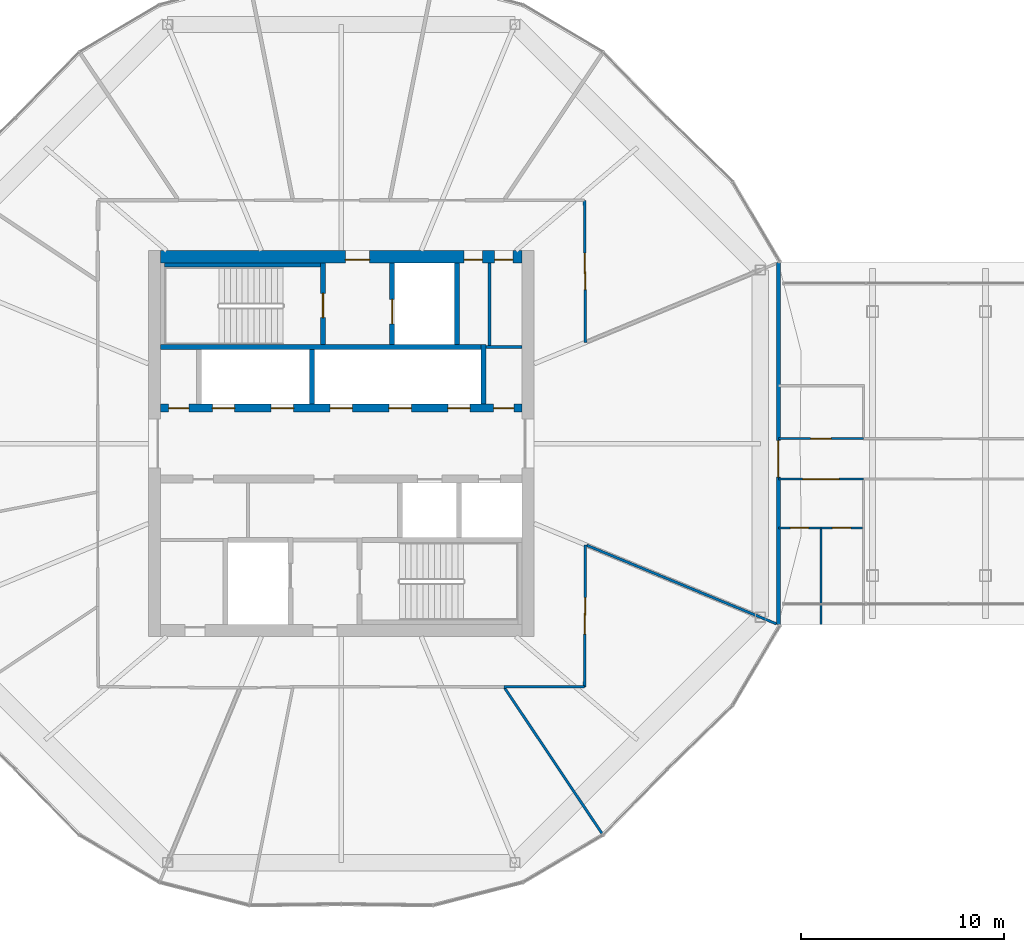
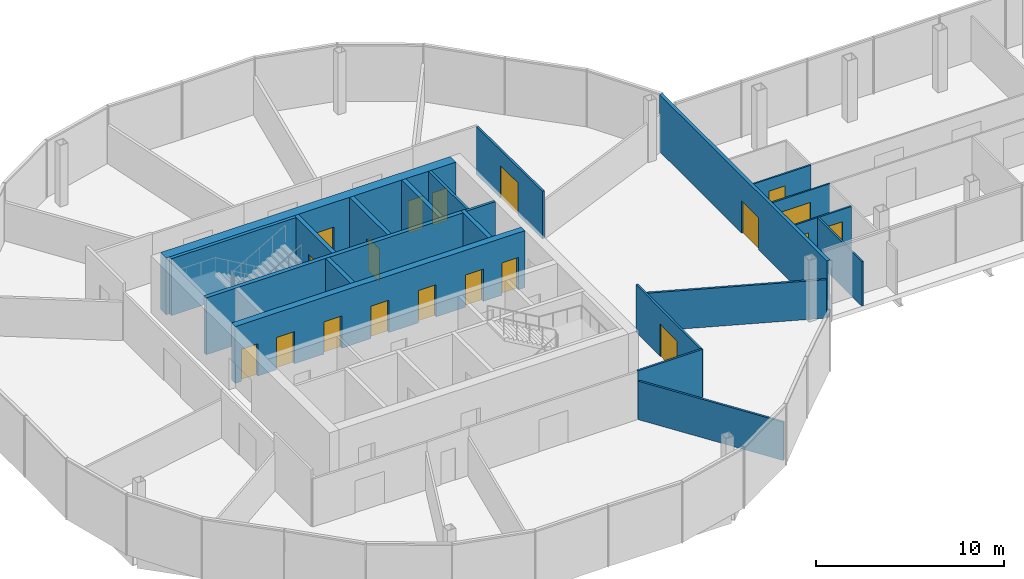
# One storey, part 20 of 25: 22 walls, 19 doors, 19 openings.
"""IFC4 building model written with IfcOpenShell, lengths in metres."""

import ifcopenshell
import ifcopenshell.guid

model = None  # the IFC model being written
_history = None  # IfcOwnerHistory: only IFC2X3 demands one
_inside = {}  # id of a spatial element -> (the spatial element, [elements in it])
_under = {}  # id of a project, library or spatial element -> (it, [spatial elements below it])
_declared = {}  # id of a project -> (the project, [libraries it declares])
_typed = {}  # id of a type object -> (the type object, [elements of that type])
_made_of = {}  # id of a material, layer set ... -> (it, [elements and type objects made of it])


def new_model(schema):
    """Start an empty IFC model of exactly this schema.

    Asked for "IFC4X3", IfcOpenShell would pick the latest addendum, in which some entities
    have other attributes; the version numbers below select the first issue.
    IFC2X3 requires an IfcOwnerHistory on every rooted entity: one is made here for all.
    """
    global model, _history
    if schema == "IFC4X3":
        model = ifcopenshell.file(schema_version=(4, 3, 0, 0))
    else:
        model = ifcopenshell.file(schema=schema)
    _inside.clear()
    _under.clear()
    _declared.clear()
    _typed.clear()
    _made_of.clear()
    _history = None
    if model.schema == "IFC2X3":
        org = make("IfcOrganization", Name="unknown")
        user = make(
            "IfcPersonAndOrganization",
            ThePerson=make("IfcPerson", FamilyName="unknown"),
            TheOrganization=org,
        )
        app = make(
            "IfcApplication",
            ApplicationDeveloper=org,
            Version="unknown",
            ApplicationFullName="unknown",
            ApplicationIdentifier="unknown",
        )
        _history = make(
            "IfcOwnerHistory",
            OwningUser=user,
            OwningApplication=app,
            ChangeAction="ADDED",
            CreationDate=0,
        )
    return model


def make(cls, **values):
    """One entity of the class cls with the attributes given. An attribute that is None is left unset."""
    return model.create_entity(
        cls, **{name: value for name, value in values.items() if value is not None}
    )


def rooted(cls, **values):
    """An entity with a GlobalId (a new one), such as an element, a storey or a relation."""
    return make(cls, GlobalId=ifcopenshell.guid.new(), OwnerHistory=_history, **values)


def si_unit(unit_type, name, prefix=None):
    """IfcSIUnit, for example si_unit("LENGTHUNIT", "METRE", prefix="MILLI")."""
    return make("IfcSIUnit", UnitType=unit_type, Prefix=prefix, Name=name)


def assignment(units):
    """IfcUnitAssignment: the units of a project."""
    return None if units is None else make("IfcUnitAssignment", Units=units)


def point(xyz):
    """IfcCartesianPoint."""
    return None if xyz is None else make("IfcCartesianPoint", Coordinates=xyz)


def direction(xyz):
    """IfcDirection."""
    return None if xyz is None else make("IfcDirection", DirectionRatios=xyz)


def frame(location, z_axis=None, x_axis=None):
    """IfcAxis2Placement3D, a coordinate frame: its origin and axes. An axis left out is left unset."""
    return make(
        "IfcAxis2Placement3D",
        Location=point(location),
        Axis=direction(z_axis),
        RefDirection=direction(x_axis),
    )


def frame_2d(location, x_axis=None):
    """IfcAxis2Placement2D, a coordinate frame in the plane: its origin and x axis."""
    return make(
        "IfcAxis2Placement2D", Location=point(location), RefDirection=direction(x_axis)
    )


def origin():
    """The frame at (0, 0, 0) with its axes left unset."""
    return frame((0.0, 0.0, 0.0))


def place(relative_to, where):
    """IfcLocalPlacement: puts the frame where relative to a parent placement (None: the world)."""
    return make(
        "IfcLocalPlacement", PlacementRelTo=relative_to, RelativePlacement=where
    )


def context(
    kind, dimensions, precision=None, world=None, true_north=None, identifier=None
):
    """IfcGeometricRepresentationContext, for example the 3D "Model" context."""
    return make(
        "IfcGeometricRepresentationContext",
        ContextIdentifier=identifier,
        ContextType=kind,
        CoordinateSpaceDimension=dimensions,
        Precision=precision,
        WorldCoordinateSystem=world,
        TrueNorth=true_north,
    )


def subcontext(parent, identifier, kind, view, scale=None):
    """IfcGeometricRepresentationSubContext, for example "Body" below "Model"."""
    return make(
        "IfcGeometricRepresentationSubContext",
        ContextIdentifier=identifier,
        ContextType=kind,
        ParentContext=parent,
        TargetScale=scale,
        TargetView=view,
    )


def project(units=None, contexts=None):
    """IfcProject with its units and contexts."""
    return rooted(
        "IfcProject",
        Name="project",
        RepresentationContexts=contexts,
        UnitsInContext=assignment(units),
    )


def spatial(cls, under=None, at=None, **own):
    """A site, building, storey or space (cls), placed at a placement, below another one or the project."""
    s = rooted(cls, ObjectPlacement=at, **own)
    if under is not None:
        _under.setdefault(under.id(), (under, []))[1].append(s)
    return s


def profile(cls, at=None, kind="AREA", **sizes):
    """A parametric profile (cls). Its sizes go by their IFC names, for example OverallWidth=200.0."""
    return make(cls, ProfileType=kind, Position=at, **sizes)


def rectangle(**sizes):
    """IfcRectangleProfileDef."""
    return profile("IfcRectangleProfileDef", **sizes)


def extrude(swept, where, along, depth):
    """IfcExtrudedAreaSolid: the profile swept, set in the frame where, extruded along a direction by depth."""
    return make(
        "IfcExtrudedAreaSolid",
        SweptArea=swept,
        Position=where,
        ExtrudedDirection=direction(along),
        Depth=depth,
    )


def shape(context_of_items, identifier, shape_type, items):
    """IfcShapeRepresentation: the items that make up one representation, for example the "Body"."""
    return make(
        "IfcShapeRepresentation",
        ContextOfItems=context_of_items,
        RepresentationIdentifier=identifier,
        RepresentationType=shape_type,
        Items=items,
    )


def material(Name=None, Category=None):
    """IfcMaterial."""
    return make("IfcMaterial", Name=Name, Category=Category)


def layer(
    of_material, thickness, ventilated=None, Name=None, Category=None, Priority=None
):
    """IfcMaterialLayer: one layer of a wall or slab, of a material (None: an air gap)."""
    return make(
        "IfcMaterialLayer",
        Material=of_material,
        LayerThickness=thickness,
        IsVentilated=ventilated,
        Name=Name,
        Category=Category,
        Priority=Priority,
    )


def layer_set(layers, Name=None):
    """IfcMaterialLayerSet."""
    return make("IfcMaterialLayerSet", MaterialLayers=layers, LayerSetName=Name)


def made_of(thing, what):
    """Note that an element or type object is made of a material, layer set ...; save() writes the relation."""
    if what is not None:
        _made_of.setdefault(what.id(), (what, []))[1].append(thing)
    return thing


def type_object(cls, material=None, **own):
    """A type object (cls), such as IfcWallType, which elements share."""
    return made_of(rooted(cls, **own), material)


def element(
    cls,
    number,
    at=None,
    inside=None,
    cuts=None,
    type_object=None,
    material=None,
    context=None,
    identifier="Body",
    shape_type=None,
    held_by="IfcProductDefinitionShape",
    body=None,
    shapes=None,
    **own,
):
    """One element of the class cls, such as IfcWall. Its Tag is "e" and its number.

    at: its placement. inside: the storey or other place that contains it. cuts: it is an
    opening in that element (IfcRelVoidsElement). A single representation is given by context,
    identifier, shape_type and body (its items); several are given by shapes. held_by: the class
    of the entity that holds the representations. save() writes the other relations.
    """
    e = rooted(cls, Tag="e%d" % number, ObjectPlacement=at, **own)
    if body is not None:
        shapes = [shape(context, identifier, shape_type, body)]
    if shapes is not None:
        e.Representation = make(held_by, Representations=shapes)
    if inside is not None:
        _inside.setdefault(inside.id(), (inside, []))[1].append(e)
    if cuts is not None:
        rooted(
            "IfcRelVoidsElement", RelatingBuildingElement=cuts, RelatedOpeningElement=e
        )
    if type_object is not None:
        _typed.setdefault(type_object.id(), (type_object, []))[1].append(e)
    return made_of(e, material)


def fill(opening, filler):
    """IfcRelFillsElement: the door or window that sits in an opening."""
    return rooted(
        "IfcRelFillsElement",
        RelatingOpeningElement=opening,
        RelatedBuildingElement=filler,
    )


def aggregate(whole, parts):
    """IfcRelAggregates: a whole, such as a stair, and the parts it consists of."""
    return rooted("IfcRelAggregates", RelatingObject=whole, RelatedObjects=parts)


def save(model, path):
    """Write the relations noted so far, then the file.

    IfcRelAggregates (storeys below a building ...), IfcRelContainedInSpatialStructure (elements
    in a storey), IfcRelDefinesByType, IfcRelAssociatesMaterial and IfcRelDeclares: one each for
    every whole, place, type object, material and project.
    """
    for whole, parts in _under.values():
        aggregate(whole, parts)
    for where, things in _inside.values():
        rooted(
            "IfcRelContainedInSpatialStructure",
            RelatedElements=things,
            RelatingStructure=where,
        )
    for kind, things in _typed.values():
        rooted("IfcRelDefinesByType", RelatedObjects=things, RelatingType=kind)
    for what, things in _made_of.values():
        rooted("IfcRelAssociatesMaterial", RelatedObjects=things, RelatingMaterial=what)
    for by, libraries in _declared.values():
        rooted("IfcRelDeclares", RelatingContext=by, RelatedDefinitions=libraries)
    model.write(path)


model = new_model("IFC4")

# Units and contexts
model_context = context("Model", 3, precision=1e-05, world=origin(), true_north=direction((0.0, 1.0)))
body_context = subcontext(model_context, "Body", "Model", "MODEL_VIEW")
ifc_project = project(units=[si_unit("LENGTHUNIT", "METRE"), si_unit("AREAUNIT", "SQUARE_METRE"), si_unit("VOLUMEUNIT", "CUBIC_METRE"), si_unit("PLANEANGLEUNIT", "RADIAN"), si_unit("MASSUNIT", "GRAM", prefix="KILO")], contexts=[model_context])

# Site, building, storey
site_placement = place(None, origin())
site = spatial("IfcSite", under=ifc_project, at=site_placement, CompositionType="ELEMENT")
building_placement = place(site_placement, origin())
building = spatial("IfcBuilding", under=site, at=building_placement, Name="Ogive Gate Towers", CompositionType="ELEMENT")
storey_placement = place(building_placement, frame((0.0, 0.0, 144.800048828125)))
storey = spatial("IfcBuildingStorey", under=building, at=storey_placement, Name="L34", CompositionType="ELEMENT", Elevation=144.800048828125)

# Wall, openings, doors
ifc_material_1 = material(Name="Concrete C60/75", Category="concrete")
ifc_layer_1 = layer(ifc_material_1, 0.60009765625)
ifc_layer_set_1 = layer_set([ifc_layer_1], Name="Core wall 600 mm")
wall_type_1 = type_object("IfcWallType", Name="Core wall 600 mm", PredefinedType="SHEAR", material=ifc_layer_set_1)
wall_1_placement = place(storey_placement, frame((-44.89990234375, 9.199951171875, 0.0), z_axis=(0.0, 0.0, 1.0), x_axis=(1.0, 0.0, 0.0)))
wall_1 = element("IfcWall", 1, at=wall_1_placement, inside=storey, type_object=wall_type_1, Name="T1 L34 Core wall 600 mm", PredefinedType="SHEAR", context=body_context, shape_type="SweptSolid", body=[
    extrude(rectangle(XDim=17.7998046875, YDim=0.60009765625, at=frame_2d((8.89990234375, 0.0))), origin(), (0.0, 0.0, 1.0), 3.699951171875),
])
opening_1_placement = place(wall_1_placement, frame((9.10009765625, 0.0, 0.0)))
opening_1 = element("IfcOpeningElement", 2, at=opening_1_placement, cuts=wall_1, Name="Opening KD-T1-L34-18", PredefinedType="OPENING", context=body_context, shape_type="SweptSolid", body=[
    extrude(rectangle(XDim=1.199951171875, YDim=2.10009765625, at=frame_2d((0.60009765625, 1.050048828125))), frame((0.0, 0.31005859375, 0.0), z_axis=(0.0, -1.0, 0.0), x_axis=(1.0, 0.0, 0.0)), (0.0, 0.0, 1.0), 0.6201171875),
])
opening_2_placement = place(wall_1_placement, frame((14.949951171875, 0.0, 0.0)))
opening_2 = element("IfcOpeningElement", 3, at=opening_2_placement, cuts=wall_1, Name="Opening KD-T1-L34-20", PredefinedType="OPENING", context=body_context, shape_type="SweptSolid", body=[
    extrude(rectangle(XDim=0.89990234375, YDim=2.10009765625, at=frame_2d((0.449951171875, 1.050048828125))), frame((0.0, 0.31005859375, 0.0), z_axis=(0.0, -1.0, 0.0), x_axis=(1.0, 0.0, 0.0)), (0.0, 0.0, 1.0), 0.6201171875),
])
opening_3_placement = place(wall_1_placement, frame((16.449951171875, 0.0, 0.0)))
opening_3 = element("IfcOpeningElement", 4, at=opening_3_placement, cuts=wall_1, Name="Opening KD-T1-L34-21", PredefinedType="OPENING", context=body_context, shape_type="SweptSolid", body=[
    extrude(rectangle(XDim=0.89990234375, YDim=2.10009765625, at=frame_2d((0.449951171875, 1.050048828125))), frame((0.0, 0.31005859375, 0.0), z_axis=(0.0, -1.0, 0.0), x_axis=(1.0, 0.0, 0.0)), (0.0, 0.0, 1.0), 0.6201171875),
])
ifc_material_2 = material(Name="Timber door", Category="wood")
door_type_1 = type_object("IfcDoorType", Name="Core WC door 900 x 2100", OperationType="NOTDEFINED", PredefinedType="DOOR", material=ifc_material_2)
door_1_placement = place(opening_2_placement, origin())
door_1 = element("IfcDoor", 5, at=door_1_placement, inside=storey, type_object=door_type_1, Name="T1 L34 Core door", OperationType="SINGLE_SWING_LEFT", OverallHeight=2.10009765625, OverallWidth=0.89990234375, PredefinedType="DOOR", context=body_context, shape_type="SweptSolid", body=[
    extrude(rectangle(XDim=0.89990234375, YDim=2.10009765625, at=frame_2d((0.449951171875, 1.050048828125))), frame((0.0, -0.125, 0.0), z_axis=(0.0, -1.0, 0.0), x_axis=(1.0, 0.0, 0.0)), (0.0, 0.0, 1.0), 0.050048828125),
])
fill(opening_2, door_1)
door_2_placement = place(opening_3_placement, origin())
door_2 = element("IfcDoor", 6, at=door_2_placement, inside=storey, type_object=door_type_1, Name="T1 L34 Core door", OperationType="SINGLE_SWING_RIGHT", OverallHeight=2.10009765625, OverallWidth=0.89990234375, PredefinedType="DOOR", context=body_context, shape_type="SweptSolid", body=[
    extrude(rectangle(XDim=0.89990234375, YDim=2.10009765625, at=frame_2d((0.449951171875, 1.050048828125))), frame((0.0, -0.125, 0.0), z_axis=(0.0, -1.0, 0.0), x_axis=(1.0, 0.0, 0.0)), (0.0, 0.0, 1.0), 0.050048828125),
])
fill(opening_3, door_2)
ifc_material_3 = material(Name="Steel fire door", Category="steel")
door_type_2 = type_object("IfcDoorType", Name="Core door FD60S 1200 x 2100", OperationType="NOTDEFINED", PredefinedType="DOOR", material=ifc_material_3)
door_3_placement = place(opening_1_placement, origin())
door_3 = element("IfcDoor", 7, at=door_3_placement, inside=storey, type_object=door_type_2, Name="T1 L34 Fire-fighting lobby door", OperationType="SINGLE_SWING_LEFT", OverallHeight=2.10009765625, OverallWidth=1.199951171875, PredefinedType="DOOR", context=body_context, shape_type="SweptSolid", body=[
    extrude(rectangle(XDim=1.199951171875, YDim=2.10009765625, at=frame_2d((0.60009765625, 1.050048828125))), frame((0.0, -0.125, 0.0), z_axis=(0.0, -1.0, 0.0), x_axis=(1.0, 0.0, 0.0)), (0.0, 0.0, 1.0), 0.050048828125),
])
fill(opening_1, door_3)

# Walls
ifc_material_4 = material(Name="Gypsum board partition")
ifc_layer_2 = layer(ifc_material_4, 0.125)
ifc_layer_set_2 = layer_set([ifc_layer_2], Name="Partition 125")
wall_type_2 = type_object("IfcWallType", Name="Partition 125", PredefinedType="PARTITIONING", material=ifc_layer_set_2)
wall_2_placement = place(storey_placement, frame((-23.16015625, -19.2021484375, 0.0), z_axis=(0.0, 0.0, 1.0), x_axis=(-0.555863542002, 0.831273554657, 0.0)))
element("IfcWall", 8, at=wall_2_placement, inside=storey, type_object=wall_type_2, Name="Partition T1-L34-011", PredefinedType="PARTITIONING", context=body_context, shape_type="SweptSolid", body=[
    extrude(rectangle(XDim=8.616455078125, YDim=0.125, at=frame_2d((4.30810546875, 0.0))), origin(), (0.0, 0.0, 1.0), 2.5),
])
wall_3_placement = place(storey_placement, frame((-14.573486328125, -8.875, 0.0), z_axis=(0.0, 0.0, 1.0), x_axis=(-0.923883778051, 0.382673182564, 0.0)))
element("IfcWall", 9, at=wall_3_placement, inside=storey, type_object=wall_type_2, Name="Partition T1-L34-012", PredefinedType="PARTITIONING", context=body_context, shape_type="SweptSolid", body=[
    extrude(rectangle(XDim=10.108154296875, YDim=0.125, at=frame_2d((5.05419921875, 0.0))), origin(), (0.0, 0.0, 1.0), 2.5),
])

# Wall, opening, door
wall_4_placement = place(storey_placement, frame((-23.97021484375, 4.98291015625, 0.0), z_axis=(0.0, 0.0, 1.0), x_axis=(-0.007117754095, 0.999974668467, 0.0)))
wall_4 = element("IfcWall", 10, at=wall_4_placement, inside=storey, type_object=wall_type_2, Name="Partition T1-L34-013", PredefinedType="PARTITIONING", context=body_context, shape_type="SweptSolid", body=[
    extrude(rectangle(XDim=6.997314453125, YDim=0.125, at=frame_2d((3.49853515625, 0.0))), origin(), (0.0, 0.0, 1.0), 3.099853515625),
])
opening_4_placement = place(wall_4_placement, frame((2.59912109375, 0.0, 0.0)))
opening_4 = element("IfcOpeningElement", 11, at=opening_4_placement, cuts=wall_4, Name="Opening T1-L34-D01", PredefinedType="OPENING", context=body_context, shape_type="SweptSolid", body=[
    extrude(rectangle(XDim=1.800048828125, YDim=2.10009765625, at=frame_2d((0.89990234375, 1.050048828125))), frame((0.0, 0.072509765625, 0.0), z_axis=(0.0, -1.0, 0.0), x_axis=(1.0, 0.0, 0.0)), (0.0, 0.0, 1.0), 0.14501953125),
])
door_type_3 = type_object("IfcDoorType", Name="Door pair 1800", OperationType="NOTDEFINED", PredefinedType="DOOR", material=ifc_material_2)
door_4_placement = place(opening_4_placement, origin())
door_4 = element("IfcDoor", 12, at=door_4_placement, inside=storey, type_object=door_type_3, Name="Door T1-L34-D01", OperationType="DOUBLE_DOOR_DOUBLE_SWING", OverallHeight=2.10009765625, OverallWidth=1.800048828125, PredefinedType="DOOR", context=body_context, shape_type="SweptSolid", body=[
    extrude(rectangle(XDim=1.800048828125, YDim=2.10009765625, at=frame_2d((0.89990234375, 1.050048828125))), frame((0.0, 0.02490234375, 0.0), z_axis=(0.0, -1.0, 0.0), x_axis=(1.0, 0.0, 0.0)), (0.0, 0.0, 1.0), 0.050048828125),
])
fill(opening_4, door_4)

wall_5_placement = place(storey_placement, frame((-24.02001953125, -11.97998046875, 0.0), z_axis=(0.0, 0.0, 1.0), x_axis=(0.007117754095, 0.999974668467, 0.0)))
wall_5 = element("IfcWall", 13, at=wall_5_placement, inside=storey, type_object=wall_type_2, Name="Partition T1-L34-026", PredefinedType="PARTITIONING", context=body_context, shape_type="SweptSolid", body=[
    extrude(rectangle(XDim=6.997314453125, YDim=0.125, at=frame_2d((3.49853515625, 0.0))), origin(), (0.0, 0.0, 1.0), 3.099853515625),
])
opening_5_placement = place(wall_5_placement, frame((2.59912109375, 0.0, 0.0)))
opening_5 = element("IfcOpeningElement", 14, at=opening_5_placement, cuts=wall_5, Name="Opening T1-L34-D11", PredefinedType="OPENING", context=body_context, shape_type="SweptSolid", body=[
    extrude(rectangle(XDim=1.800048828125, YDim=2.10009765625, at=frame_2d((0.89990234375, 1.050048828125))), frame((0.0, 0.072509765625, 0.0), z_axis=(0.0, -1.0, 0.0), x_axis=(1.0, 0.0, 0.0)), (0.0, 0.0, 1.0), 0.14501953125),
])
door_5_placement = place(opening_5_placement, origin())
door_5 = element("IfcDoor", 15, at=door_5_placement, inside=storey, type_object=door_type_3, Name="Door T1-L34-D11", OperationType="DOUBLE_DOOR_DOUBLE_SWING", OverallHeight=2.10009765625, OverallWidth=1.800048828125, PredefinedType="DOOR", context=body_context, shape_type="SweptSolid", body=[
    extrude(rectangle(XDim=1.800048828125, YDim=2.10009765625, at=frame_2d((0.89990234375, 1.050048828125))), frame((0.0, 0.02490234375, 0.0), z_axis=(0.0, -1.0, 0.0), x_axis=(1.0, 0.0, 0.0)), (0.0, 0.0, 1.0), 0.050048828125),
])
fill(opening_5, door_5)

# Wall
wall_6_placement = place(storey_placement, frame((-27.984375, -11.987548828125, 0.0), z_axis=(0.0, 0.0, 1.0), x_axis=(0.99999817767, 0.001909098627, 0.0)))
element("IfcWall", 16, at=wall_6_placement, inside=storey, type_object=wall_type_2, Name="Partition T1-L34-027", PredefinedType="PARTITIONING", context=body_context, shape_type="SweptSolid", body=[
    extrude(rectangle(XDim=3.96435546875, YDim=0.125, at=frame_2d((1.982177734375, 0.0))), origin(), (0.0, 0.0, 1.0), 3.14990234375),
])

# Wall, opening, door
ifc_layer_3 = layer(ifc_material_4, 0.10009765625)
ifc_layer_set_3 = layer_set([ifc_layer_3], Name="Partition wall 100")
wall_type_3 = type_object("IfcWallType", Name="Partition wall 100", PredefinedType="PARTITIONING", material=ifc_layer_set_3)
wall_7_placement = place(storey_placement, frame((-14.4736328125, -1.75, 0.0), z_axis=(0.0, 0.0, 1.0), x_axis=(1.0, 0.0, 0.0)))
wall_7 = element("IfcWall", 17, at=wall_7_placement, inside=storey, type_object=wall_type_3, Name="L34 partition 001", PredefinedType="PARTITIONING", context=body_context, shape_type="SweptSolid", body=[
    extrude(rectangle(XDim=4.193115234375, YDim=0.10009765625, at=frame_2d((2.0966796875, 0.0))), origin(), (0.0, 0.0, 1.0), 2.89990234375),
])
opening_6_placement = place(wall_7_placement, frame((1.196533203125, 0.0, 0.0)))
opening_6 = element("IfcOpeningElement", 18, at=opening_6_placement, cuts=wall_7, Name="Opening PO240", PredefinedType="OPENING", context=body_context, shape_type="SweptSolid", body=[
    extrude(rectangle(XDim=1.800048828125, YDim=2.10009765625, at=frame_2d((0.89990234375, 1.050048828125))), frame((0.0, 0.06005859375, 0.0), z_axis=(0.0, -1.0, 0.0), x_axis=(1.0, 0.0, 0.0)), (0.0, 0.0, 1.0), 0.1201171875),
])
door_type_4 = type_object("IfcDoorType", Name="Double door 1800 x 2100", OperationType="NOTDEFINED", PredefinedType="DOOR", material=ifc_material_2)
door_6_placement = place(opening_6_placement, origin())
door_6 = element("IfcDoor", 19, at=door_6_placement, inside=storey, type_object=door_type_4, Name="Door PO240", OperationType="DOUBLE_DOOR_DOUBLE_SWING", OverallHeight=2.10009765625, OverallWidth=1.800048828125, PredefinedType="DOOR", context=body_context, shape_type="SweptSolid", body=[
    extrude(rectangle(XDim=1.800048828125, YDim=2.10009765625, at=frame_2d((0.89990234375, 1.050048828125))), frame((0.0, 0.02490234375, 0.0), z_axis=(0.0, -1.0, 0.0), x_axis=(1.0, 0.0, 0.0)), (0.0, 0.0, 1.0), 0.050048828125),
])
fill(opening_6, door_6)

wall_8_placement = place(storey_placement, frame((-14.4736328125, 0.25, 0.0), z_axis=(0.0, 0.0, 1.0), x_axis=(1.0, 0.0, 0.0)))
wall_8 = element("IfcWall", 20, at=wall_8_placement, inside=storey, type_object=wall_type_3, Name="L34 partition 002", PredefinedType="PARTITIONING", context=body_context, shape_type="SweptSolid", body=[
    extrude(rectangle(XDim=4.193115234375, YDim=0.10009765625, at=frame_2d((2.0966796875, 0.0))), origin(), (0.0, 0.0, 1.0), 2.89990234375),
])
opening_7_placement = place(wall_8_placement, frame((1.596435546875, 0.0, 0.0)))
opening_7 = element("IfcOpeningElement", 21, at=opening_7_placement, cuts=wall_8, Name="Opening PO243", PredefinedType="OPENING", context=body_context, shape_type="SweptSolid", body=[
    extrude(rectangle(XDim=1.0, YDim=2.10009765625, at=frame_2d((0.5, 1.050048828125))), frame((0.0, 0.06005859375, 0.0), z_axis=(0.0, -1.0, 0.0), x_axis=(1.0, 0.0, 0.0)), (0.0, 0.0, 1.0), 0.1201171875),
])
door_type_5 = type_object("IfcDoorType", Name="Door 1000 x 2100", OperationType="NOTDEFINED", PredefinedType="DOOR", material=ifc_material_2)
door_7_placement = place(opening_7_placement, origin())
door_7 = element("IfcDoor", 22, at=door_7_placement, inside=storey, type_object=door_type_5, Name="Door PO243", OperationType="SINGLE_SWING_LEFT", OverallHeight=2.10009765625, OverallWidth=1.0, PredefinedType="DOOR", context=body_context, shape_type="SweptSolid", body=[
    extrude(rectangle(XDim=1.0, YDim=2.10009765625, at=frame_2d((0.5, 1.050048828125))), frame((0.0, 0.02490234375, 0.0), z_axis=(0.0, -1.0, 0.0), x_axis=(1.0, 0.0, 0.0)), (0.0, 0.0, 1.0), 0.050048828125),
])
fill(opening_7, door_7)

wall_9_placement = place(storey_placement, frame((-14.4736328125, -4.14990234375, 0.0), z_axis=(0.0, 0.0, 1.0), x_axis=(1.0, 0.0, 0.0)))
wall_9 = element("IfcWall", 23, at=wall_9_placement, inside=storey, type_object=wall_type_3, Name="L34 partition 009", PredefinedType="PARTITIONING", context=body_context, shape_type="SweptSolid", body=[
    extrude(rectangle(XDim=2.096435546875, YDim=0.10009765625, at=frame_2d((1.04833984375, 0.0))), origin(), (0.0, 0.0, 1.0), 2.89990234375),
])
opening_8_placement = place(wall_9_placement, frame((0.598388671875, 0.0, 0.0)))
opening_8 = element("IfcOpeningElement", 24, at=opening_8_placement, cuts=wall_9, Name="Opening PO241", PredefinedType="OPENING", context=body_context, shape_type="SweptSolid", body=[
    extrude(rectangle(XDim=0.89990234375, YDim=2.10009765625, at=frame_2d((0.449951171875, 1.050048828125))), frame((0.0, 0.06005859375, 0.0), z_axis=(0.0, -1.0, 0.0), x_axis=(1.0, 0.0, 0.0)), (0.0, 0.0, 1.0), 0.1201171875),
])
door_type_6 = type_object("IfcDoorType", Name="Door 900 x 2100", OperationType="NOTDEFINED", PredefinedType="DOOR", material=ifc_material_2)
door_8_placement = place(opening_8_placement, origin())
door_8 = element("IfcDoor", 25, at=door_8_placement, inside=storey, type_object=door_type_6, Name="Door PO241", OperationType="SINGLE_SWING_LEFT", OverallHeight=2.10009765625, OverallWidth=0.89990234375, PredefinedType="DOOR", context=body_context, shape_type="SweptSolid", body=[
    extrude(rectangle(XDim=0.89990234375, YDim=2.10009765625, at=frame_2d((0.449951171875, 1.050048828125))), frame((0.0, 0.02490234375, 0.0), z_axis=(0.0, -1.0, 0.0), x_axis=(1.0, 0.0, 0.0)), (0.0, 0.0, 1.0), 0.050048828125),
])
fill(opening_8, door_8)

wall_10_placement = place(storey_placement, frame((-12.377197265625, -4.14990234375, 0.0), z_axis=(0.0, 0.0, 1.0), x_axis=(1.0, 0.0, 0.0)))
wall_10 = element("IfcWall", 26, at=wall_10_placement, inside=storey, type_object=wall_type_3, Name="L34 partition 010", PredefinedType="PARTITIONING", context=body_context, shape_type="SweptSolid", body=[
    extrude(rectangle(XDim=2.046630859375, YDim=0.10009765625, at=frame_2d((1.0234375, 0.0))), origin(), (0.0, 0.0, 1.0), 2.89990234375),
])
opening_9_placement = place(wall_10_placement, frame((0.5732421875, 0.0, 0.0)))
opening_9 = element("IfcOpeningElement", 27, at=opening_9_placement, cuts=wall_10, Name="Opening PO242", PredefinedType="OPENING", context=body_context, shape_type="SweptSolid", body=[
    extrude(rectangle(XDim=0.89990234375, YDim=2.10009765625, at=frame_2d((0.449951171875, 1.050048828125))), frame((0.0, 0.06005859375, 0.0), z_axis=(0.0, -1.0, 0.0), x_axis=(1.0, 0.0, 0.0)), (0.0, 0.0, 1.0), 0.1201171875),
])
door_9_placement = place(opening_9_placement, origin())
door_9 = element("IfcDoor", 28, at=door_9_placement, inside=storey, type_object=door_type_6, Name="Door PO242", OperationType="SINGLE_SWING_RIGHT", OverallHeight=2.10009765625, OverallWidth=0.89990234375, PredefinedType="DOOR", context=body_context, shape_type="SweptSolid", body=[
    extrude(rectangle(XDim=0.89990234375, YDim=2.10009765625, at=frame_2d((0.449951171875, 1.050048828125))), frame((0.0, 0.02490234375, 0.0), z_axis=(0.0, -1.0, 0.0), x_axis=(1.0, 0.0, 0.0)), (0.0, 0.0, 1.0), 0.050048828125),
])
fill(opening_9, door_9)

# Wall
wall_11_placement = place(storey_placement, frame((-12.377197265625, -8.91650390625, 0.0), z_axis=(0.0, 0.0, 1.0), x_axis=(0.0, 1.0, 0.0)))
element("IfcWall", 29, at=wall_11_placement, inside=storey, type_object=wall_type_3, Name="L34 partition 012", PredefinedType="PARTITIONING", context=body_context, shape_type="SweptSolid", body=[
    extrude(rectangle(XDim=4.716552734375, YDim=0.10009765625, at=frame_2d((2.3583984375, 0.0))), origin(), (0.0, 0.0, 1.0), 2.89990234375),
])

# Wall, opening, door
ifc_material_5 = material(Name="Masonry block wall", Category="masonry")
ifc_layer_4 = layer(ifc_material_5, 0.199951171875)
ifc_layer_set_4 = layer_set([ifc_layer_4], Name="Partition wall 200")
wall_type_4 = type_object("IfcWallType", Name="Partition wall 200", PredefinedType="PARTITIONING", material=ifc_layer_set_4)
wall_12_placement = place(storey_placement, frame((-14.4736328125, -8.91650390625, 0.0), z_axis=(0.0, 0.0, 1.0), x_axis=(0.0, 1.0, 0.0)))
wall_12 = element("IfcWall", 30, at=wall_12_placement, inside=storey, type_object=wall_type_4, Name="L34 wall 020", PredefinedType="PARTITIONING", context=body_context, shape_type="SweptSolid", body=[
    extrude(rectangle(XDim=17.8330078125, YDim=0.199951171875, at=frame_2d((8.91650390625, 0.0))), origin(), (0.0, 0.0, 1.0), 3.699951171875),
])
opening_10_placement = place(wall_12_placement, frame((7.2666015625, 0.0, 0.0)))
opening_10 = element("IfcOpeningElement", 31, at=opening_10_placement, cuts=wall_12, Name="Opening PO252", PredefinedType="OPENING", context=body_context, shape_type="SweptSolid", body=[
    extrude(rectangle(XDim=1.800048828125, YDim=2.10009765625, at=frame_2d((0.89990234375, 1.050048828125))), frame((0.0, 0.10986328125, 0.0), z_axis=(0.0, -1.0, 0.0), x_axis=(1.0, 0.0, 0.0)), (0.0, 0.0, 1.0), 0.219970703125),
])
door_type_7 = type_object("IfcDoorType", Name="Interior fire double door FD120S 1800 x 2100", OperationType="NOTDEFINED", PredefinedType="DOOR", material=ifc_material_3)
door_10_placement = place(opening_10_placement, origin())
door_10 = element("IfcDoor", 32, at=door_10_placement, inside=storey, type_object=door_type_7, Name="Door PO252", OperationType="DOUBLE_DOOR_DOUBLE_SWING", OverallHeight=2.10009765625, OverallWidth=1.800048828125, PredefinedType="DOOR", context=body_context, shape_type="SweptSolid", body=[
    extrude(rectangle(XDim=1.800048828125, YDim=2.10009765625, at=frame_2d((0.89990234375, 1.050048828125))), frame((0.0, 0.02490234375, 0.0), z_axis=(0.0, -1.0, 0.0), x_axis=(1.0, 0.0, 0.0)), (0.0, 0.0, 1.0), 0.050048828125),
])
fill(opening_10, door_10)

# Walls
ifc_layer_5 = layer(ifc_material_4, 0.14990234375)
ifc_layer_set_5 = layer_set([ifc_layer_5], Name="Room partition 150 mm")
wall_type_5 = type_object("IfcWallType", Name="Room partition 150 mm", PredefinedType="PARTITIONING", material=ifc_layer_set_5)
wall_13_placement = place(storey_placement, frame((-28.875, 4.75, 0.0), z_axis=(0.0, 0.0, 1.0), x_axis=(1.0, 0.0, 0.0)))
element("IfcWall", 33, at=wall_13_placement, inside=storey, type_object=wall_type_5, Name="T1 L34 Room partition 150 mm", PredefinedType="PARTITIONING", context=body_context, shape_type="SweptSolid", body=[
    extrude(rectangle(XDim=1.77490234375, YDim=0.14990234375, at=frame_2d((0.887451171875, 0.0))), origin(), (0.0, 0.0, 1.0), 3.699951171875),
])
wall_14_placement = place(storey_placement, frame((-28.699951171875, 4.824951171875, 0.0), z_axis=(0.0, 0.0, 1.0), x_axis=(0.0, 1.0, 0.0)))
element("IfcWall", 34, at=wall_14_placement, inside=storey, type_object=wall_type_5, Name="T1 L34 Room partition 150 mm", PredefinedType="PARTITIONING", context=body_context, shape_type="SweptSolid", body=[
    extrude(rectangle(XDim=4.074951171875, YDim=0.14990234375, at=frame_2d((2.03759765625, 0.0))), origin(), (0.0, 0.0, 1.0), 3.699951171875),
])
ifc_layer_6 = layer(ifc_material_1, 0.25)
ifc_layer_set_6 = layer_set([ifc_layer_6], Name="Shaft wall 250 mm")
wall_type_6 = type_object("IfcWallType", Name="Shaft wall 250 mm", PredefinedType="SHEAR", material=ifc_layer_set_6)
wall_15_placement = place(storey_placement, frame((-44.89990234375, 4.75, 0.0), z_axis=(0.0, 0.0, 1.0), x_axis=(1.0, 0.0, 0.0)))
element("IfcWall", 35, at=wall_15_placement, inside=storey, type_object=wall_type_6, Name="T1 L34 Shaft wall 250 mm", PredefinedType="SHEAR", context=body_context, shape_type="SweptSolid", body=[
    extrude(rectangle(XDim=15.77490234375, YDim=0.25, at=frame_2d((7.887451171875, 0.0))), origin(), (0.0, 0.0, 1.0), 3.699951171875),
])
wall_16_placement = place(storey_placement, frame((-37.449951171875, 1.949951171875, 0.0), z_axis=(0.0, 0.0, 1.0), x_axis=(0.0, 1.0, 0.0)))
element("IfcWall", 36, at=wall_16_placement, inside=storey, type_object=wall_type_6, Name="T1 L34 Shaft wall 250 mm", PredefinedType="SHEAR", context=body_context, shape_type="SweptSolid", body=[
    extrude(rectangle(XDim=2.675048828125, YDim=0.25, at=frame_2d((1.33740234375, 0.0))), origin(), (0.0, 0.0, 1.0), 3.699951171875),
])

# Wall, opening, door
wall_17_placement = place(storey_placement, frame((-36.89990234375, 4.875, 0.0), z_axis=(0.0, 0.0, 1.0), x_axis=(0.0, 1.0, 0.0)))
wall_17 = element("IfcWall", 37, at=wall_17_placement, inside=storey, type_object=wall_type_6, Name="T1 L34 Shaft wall 250 mm", PredefinedType="SHEAR", context=body_context, shape_type="SweptSolid", body=[
    extrude(rectangle(XDim=4.02490234375, YDim=0.25, at=frame_2d((2.012451171875, 0.0))), origin(), (0.0, 0.0, 1.0), 3.699951171875),
])
opening_11_placement = place(wall_17_placement, frame((1.324951171875, 0.0, 0.0)))
opening_11 = element("IfcOpeningElement", 38, at=opening_11_placement, cuts=wall_17, Name="Opening KD-T1-L34-16", PredefinedType="OPENING", context=body_context, shape_type="SweptSolid", body=[
    extrude(rectangle(XDim=1.199951171875, YDim=2.10009765625, at=frame_2d((0.60009765625, 1.050048828125))), frame((0.0, 0.135009765625, 0.0), z_axis=(0.0, -1.0, 0.0), x_axis=(1.0, 0.0, 0.0)), (0.0, 0.0, 1.0), 0.27001953125),
])
door_11_placement = place(opening_11_placement, origin())
door_11 = element("IfcDoor", 39, at=door_11_placement, inside=storey, type_object=door_type_2, Name="T1 L34 Stair door", OperationType="SINGLE_SWING_LEFT", OverallHeight=2.10009765625, OverallWidth=1.199951171875, PredefinedType="DOOR", context=body_context, shape_type="SweptSolid", body=[
    extrude(rectangle(XDim=1.199951171875, YDim=2.10009765625, at=frame_2d((0.60009765625, 1.050048828125))), frame((0.0, 0.02490234375, 0.0), z_axis=(0.0, -1.0, 0.0), x_axis=(1.0, 0.0, 0.0)), (0.0, 0.0, 1.0), 0.050048828125),
])
fill(opening_11, door_11)

wall_18_placement = place(storey_placement, frame((-33.5, 4.875, 0.0), z_axis=(0.0, 0.0, 1.0), x_axis=(0.0, 1.0, 0.0)))
wall_18 = element("IfcWall", 40, at=wall_18_placement, inside=storey, type_object=wall_type_6, Name="T1 L34 Shaft wall 250 mm", PredefinedType="SHEAR", context=body_context, shape_type="SweptSolid", body=[
    extrude(rectangle(XDim=4.02490234375, YDim=0.25, at=frame_2d((2.012451171875, 0.0))), origin(), (0.0, 0.0, 1.0), 3.699951171875),
])
opening_12_placement = place(wall_18_placement, frame((1.02490234375, 0.0, 0.0)))
opening_12 = element("IfcOpeningElement", 41, at=opening_12_placement, cuts=wall_18, Name="Opening LD-T1-L34-12", PredefinedType="OPENING", context=body_context, shape_type="SweptSolid", body=[
    extrude(rectangle(XDim=1.199951171875, YDim=2.10009765625, at=frame_2d((0.60009765625, 1.050048828125))), frame((0.0, 0.135009765625, 0.0), z_axis=(0.0, -1.0, 0.0), x_axis=(1.0, 0.0, 0.0)), (0.0, 0.0, 1.0), 0.27001953125),
])
ifc_material_6 = material(Name="Stainless steel landing door", Category="steel")
door_type_8 = type_object("IfcDoorType", Name="Landing door 1200 x 2100", OperationType="SLIDING_TO_LEFT", PredefinedType="DOOR", material=ifc_material_6)
door_12_placement = place(opening_12_placement, origin())
door_12 = element("IfcDoor", 42, at=door_12_placement, inside=storey, type_object=door_type_8, Name="T1 L34 Lift landing door FF1", OperationType="SLIDING_TO_LEFT", OverallHeight=2.10009765625, OverallWidth=1.199951171875, PredefinedType="DOOR", context=body_context, shape_type="SweptSolid", body=[
    extrude(rectangle(XDim=1.199951171875, YDim=2.10009765625, at=frame_2d((0.60009765625, 1.050048828125))), frame((0.0, 0.02490234375, 0.0), z_axis=(0.0, -1.0, 0.0), x_axis=(1.0, 0.0, 0.0)), (0.0, 0.0, 1.0), 0.050048828125),
])
fill(opening_12, door_12)

# Walls
wall_19_placement = place(storey_placement, frame((-30.300048828125, 4.875, 0.0), z_axis=(0.0, 0.0, 1.0), x_axis=(0.0, 1.0, 0.0)))
element("IfcWall", 43, at=wall_19_placement, inside=storey, type_object=wall_type_6, Name="T1 L34 Shaft wall 250 mm", PredefinedType="SHEAR", context=body_context, shape_type="SweptSolid", body=[
    extrude(rectangle(XDim=4.02490234375, YDim=0.25, at=frame_2d((2.012451171875, 0.0))), origin(), (0.0, 0.0, 1.0), 3.699951171875),
])
wall_20_placement = place(storey_placement, frame((-29.0, 1.949951171875, 0.0), z_axis=(0.0, 0.0, 1.0), x_axis=(0.0, 1.0, 0.0)))
element("IfcWall", 44, at=wall_20_placement, inside=storey, type_object=wall_type_6, Name="T1 L34 Shaft wall 250 mm", PredefinedType="SHEAR", context=body_context, shape_type="SweptSolid", body=[
    extrude(rectangle(XDim=2.925048828125, YDim=0.25, at=frame_2d((1.46240234375, 0.0))), origin(), (0.0, 0.0, 1.0), 3.699951171875),
])

# Wall, openings, doors
ifc_layer_7 = layer(ifc_material_1, 0.39990234375)
ifc_layer_set_7 = layer_set([ifc_layer_7], Name="Spine wall 400 mm")
wall_type_7 = type_object("IfcWallType", Name="Spine wall 400 mm", PredefinedType="SHEAR", material=ifc_layer_set_7)
wall_21_placement = place(storey_placement, frame((-44.89990234375, 1.75, 0.0), z_axis=(0.0, 0.0, 1.0), x_axis=(1.0, 0.0, 0.0)))
wall_21 = element("IfcWall", 45, at=wall_21_placement, inside=storey, type_object=wall_type_7, Name="T1 L34 Spine wall 400 mm", PredefinedType="SHEAR", context=body_context, shape_type="SweptSolid", body=[
    extrude(rectangle(XDim=17.7998046875, YDim=0.39990234375, at=frame_2d((8.89990234375, 0.0))), origin(), (0.0, 0.0, 1.0), 3.699951171875),
])
opening_13_placement = place(wall_21_placement, frame((0.39990234375, 0.0, 0.0)))
opening_13 = element("IfcOpeningElement", 46, at=opening_13_placement, cuts=wall_21, Name="Opening KD-T1-L34-03", PredefinedType="OPENING", context=body_context, shape_type="SweptSolid", body=[
    extrude(rectangle(XDim=1.0, YDim=2.10009765625, at=frame_2d((0.5, 1.050048828125))), frame((0.0, 0.2099609375, 0.0), z_axis=(0.0, -1.0, 0.0), x_axis=(1.0, 0.0, 0.0)), (0.0, 0.0, 1.0), 0.419921875),
])
opening_14_placement = place(wall_21_placement, frame((2.550048828125, 0.0, 0.0)))
opening_14 = element("IfcOpeningElement", 47, at=opening_14_placement, cuts=wall_21, Name="Opening LD-T1-L34-04", PredefinedType="OPENING", context=body_context, shape_type="SweptSolid", body=[
    extrude(rectangle(XDim=1.10009765625, YDim=2.10009765625, at=frame_2d((0.550048828125, 1.050048828125))), frame((0.0, 0.2099609375, 0.0), z_axis=(0.0, -1.0, 0.0), x_axis=(1.0, 0.0, 0.0)), (0.0, 0.0, 1.0), 0.419921875),
])
opening_15_placement = place(wall_21_placement, frame((5.449951171875, 0.0, 0.0)))
opening_15 = element("IfcOpeningElement", 48, at=opening_15_placement, cuts=wall_21, Name="Opening LD-T1-L34-05", PredefinedType="OPENING", context=body_context, shape_type="SweptSolid", body=[
    extrude(rectangle(XDim=1.10009765625, YDim=2.10009765625, at=frame_2d((0.550048828125, 1.050048828125))), frame((0.0, 0.2099609375, 0.0), z_axis=(0.0, -1.0, 0.0), x_axis=(1.0, 0.0, 0.0)), (0.0, 0.0, 1.0), 0.419921875),
])
opening_16_placement = place(wall_21_placement, frame((8.35009765625, 0.0, 0.0)))
opening_16 = element("IfcOpeningElement", 49, at=opening_16_placement, cuts=wall_21, Name="Opening LD-T1-L34-06", PredefinedType="OPENING", context=body_context, shape_type="SweptSolid", body=[
    extrude(rectangle(XDim=1.10009765625, YDim=2.10009765625, at=frame_2d((0.550048828125, 1.050048828125))), frame((0.0, 0.2099609375, 0.0), z_axis=(0.0, -1.0, 0.0), x_axis=(1.0, 0.0, 0.0)), (0.0, 0.0, 1.0), 0.419921875),
])
opening_17_placement = place(wall_21_placement, frame((11.25, 0.0, 0.0)))
opening_17 = element("IfcOpeningElement", 50, at=opening_17_placement, cuts=wall_21, Name="Opening LD-T1-L34-07", PredefinedType="OPENING", context=body_context, shape_type="SweptSolid", body=[
    extrude(rectangle(XDim=1.10009765625, YDim=2.10009765625, at=frame_2d((0.550048828125, 1.050048828125))), frame((0.0, 0.2099609375, 0.0), z_axis=(0.0, -1.0, 0.0), x_axis=(1.0, 0.0, 0.0)), (0.0, 0.0, 1.0), 0.419921875),
])
opening_18_placement = place(wall_21_placement, frame((14.14990234375, 0.0, 0.0)))
opening_18 = element("IfcOpeningElement", 51, at=opening_18_placement, cuts=wall_21, Name="Opening LD-T1-L34-08", PredefinedType="OPENING", context=body_context, shape_type="SweptSolid", body=[
    extrude(rectangle(XDim=1.10009765625, YDim=2.10009765625, at=frame_2d((0.550048828125, 1.050048828125))), frame((0.0, 0.2099609375, 0.0), z_axis=(0.0, -1.0, 0.0), x_axis=(1.0, 0.0, 0.0)), (0.0, 0.0, 1.0), 0.419921875),
])
opening_19_placement = place(wall_21_placement, frame((16.39990234375, 0.0, 0.0)))
opening_19 = element("IfcOpeningElement", 52, at=opening_19_placement, cuts=wall_21, Name="Opening KD-T1-L34-09", PredefinedType="OPENING", context=body_context, shape_type="SweptSolid", body=[
    extrude(rectangle(XDim=1.0, YDim=2.10009765625, at=frame_2d((0.5, 1.050048828125))), frame((0.0, 0.2099609375, 0.0), z_axis=(0.0, -1.0, 0.0), x_axis=(1.0, 0.0, 0.0)), (0.0, 0.0, 1.0), 0.419921875),
])
door_type_9 = type_object("IfcDoorType", Name="Core door FD60S 1000 x 2100", OperationType="NOTDEFINED", PredefinedType="DOOR", material=ifc_material_3)
door_13_placement = place(opening_13_placement, origin())
door_13 = element("IfcDoor", 53, at=door_13_placement, inside=storey, type_object=door_type_9, Name="T1 L34 Core door", OperationType="SINGLE_SWING_RIGHT", OverallHeight=2.10009765625, OverallWidth=1.0, PredefinedType="DOOR", context=body_context, shape_type="SweptSolid", body=[
    extrude(rectangle(XDim=1.0, YDim=2.10009765625, at=frame_2d((0.5, 1.050048828125))), frame((0.0, 0.02490234375, 0.0), z_axis=(0.0, -1.0, 0.0), x_axis=(1.0, 0.0, 0.0)), (0.0, 0.0, 1.0), 0.050048828125),
])
fill(opening_13, door_13)
door_14_placement = place(opening_19_placement, origin())
door_14 = element("IfcDoor", 54, at=door_14_placement, inside=storey, type_object=door_type_9, Name="T1 L34 Core door", OperationType="SINGLE_SWING_RIGHT", OverallHeight=2.10009765625, OverallWidth=1.0, PredefinedType="DOOR", context=body_context, shape_type="SweptSolid", body=[
    extrude(rectangle(XDim=1.0, YDim=2.10009765625, at=frame_2d((0.5, 1.050048828125))), frame((0.0, 0.02490234375, 0.0), z_axis=(0.0, -1.0, 0.0), x_axis=(1.0, 0.0, 0.0)), (0.0, 0.0, 1.0), 0.050048828125),
])
fill(opening_19, door_14)
door_type_10 = type_object("IfcDoorType", Name="Landing door 1100 x 2100", OperationType="SLIDING_TO_LEFT", PredefinedType="DOOR", material=ifc_material_6)
door_15_placement = place(opening_14_placement, origin())
door_15 = element("IfcDoor", 55, at=door_15_placement, inside=storey, type_object=door_type_10, Name="T1 L34 Lift landing door B1", OperationType="SLIDING_TO_LEFT", OverallHeight=2.10009765625, OverallWidth=1.10009765625, PredefinedType="DOOR", context=body_context, shape_type="SweptSolid", body=[
    extrude(rectangle(XDim=1.10009765625, YDim=2.10009765625, at=frame_2d((0.550048828125, 1.050048828125))), frame((0.0, 0.02490234375, 0.0), z_axis=(0.0, -1.0, 0.0), x_axis=(1.0, 0.0, 0.0)), (0.0, 0.0, 1.0), 0.050048828125),
])
fill(opening_14, door_15)
door_16_placement = place(opening_15_placement, origin())
door_16 = element("IfcDoor", 56, at=door_16_placement, inside=storey, type_object=door_type_10, Name="T1 L34 Lift landing door B2", OperationType="SLIDING_TO_LEFT", OverallHeight=2.10009765625, OverallWidth=1.10009765625, PredefinedType="DOOR", context=body_context, shape_type="SweptSolid", body=[
    extrude(rectangle(XDim=1.10009765625, YDim=2.10009765625, at=frame_2d((0.550048828125, 1.050048828125))), frame((0.0, 0.02490234375, 0.0), z_axis=(0.0, -1.0, 0.0), x_axis=(1.0, 0.0, 0.0)), (0.0, 0.0, 1.0), 0.050048828125),
])
fill(opening_15, door_16)
door_17_placement = place(opening_16_placement, origin())
door_17 = element("IfcDoor", 57, at=door_17_placement, inside=storey, type_object=door_type_10, Name="T1 L34 Lift landing door B3", OperationType="SLIDING_TO_LEFT", OverallHeight=2.10009765625, OverallWidth=1.10009765625, PredefinedType="DOOR", context=body_context, shape_type="SweptSolid", body=[
    extrude(rectangle(XDim=1.10009765625, YDim=2.10009765625, at=frame_2d((0.550048828125, 1.050048828125))), frame((0.0, 0.02490234375, 0.0), z_axis=(0.0, -1.0, 0.0), x_axis=(1.0, 0.0, 0.0)), (0.0, 0.0, 1.0), 0.050048828125),
])
fill(opening_16, door_17)
door_18_placement = place(opening_17_placement, origin())
door_18 = element("IfcDoor", 58, at=door_18_placement, inside=storey, type_object=door_type_10, Name="T1 L34 Lift landing door B4", OperationType="SLIDING_TO_LEFT", OverallHeight=2.10009765625, OverallWidth=1.10009765625, PredefinedType="DOOR", context=body_context, shape_type="SweptSolid", body=[
    extrude(rectangle(XDim=1.10009765625, YDim=2.10009765625, at=frame_2d((0.550048828125, 1.050048828125))), frame((0.0, 0.02490234375, 0.0), z_axis=(0.0, -1.0, 0.0), x_axis=(1.0, 0.0, 0.0)), (0.0, 0.0, 1.0), 0.050048828125),
])
fill(opening_17, door_18)
door_19_placement = place(opening_18_placement, origin())
door_19 = element("IfcDoor", 59, at=door_19_placement, inside=storey, type_object=door_type_10, Name="T1 L34 Lift landing door B5", OperationType="SLIDING_TO_LEFT", OverallHeight=2.10009765625, OverallWidth=1.10009765625, PredefinedType="DOOR", context=body_context, shape_type="SweptSolid", body=[
    extrude(rectangle(XDim=1.10009765625, YDim=2.10009765625, at=frame_2d((0.550048828125, 1.050048828125))), frame((0.0, 0.02490234375, 0.0), z_axis=(0.0, -1.0, 0.0), x_axis=(1.0, 0.0, 0.0)), (0.0, 0.0, 1.0), 0.050048828125),
])
fill(opening_18, door_19)

# Wall
ifc_layer_8 = layer(ifc_material_1, 0.199951171875)
ifc_layer_set_8 = layer_set([ifc_layer_8], Name="Stair wall 200 mm")
wall_type_8 = type_object("IfcWallType", Name="Stair wall 200 mm", PredefinedType="SHEAR", material=ifc_layer_set_8)
wall_22_placement = place(storey_placement, frame((-44.699951171875, 8.800048828125, 0.0), z_axis=(0.0, 0.0, 1.0), x_axis=(1.0, 0.0, 0.0)))
element("IfcWall", 60, at=wall_22_placement, inside=storey, type_object=wall_type_8, Name="T1 L34 Stair wall 200 mm", PredefinedType="SHEAR", context=body_context, shape_type="SweptSolid", body=[
    extrude(rectangle(XDim=7.675048828125, YDim=0.199951171875, at=frame_2d((3.83740234375, 0.0))), origin(), (0.0, 0.0, 1.0), 3.699951171875),
])

save(model, "model.ifc")
